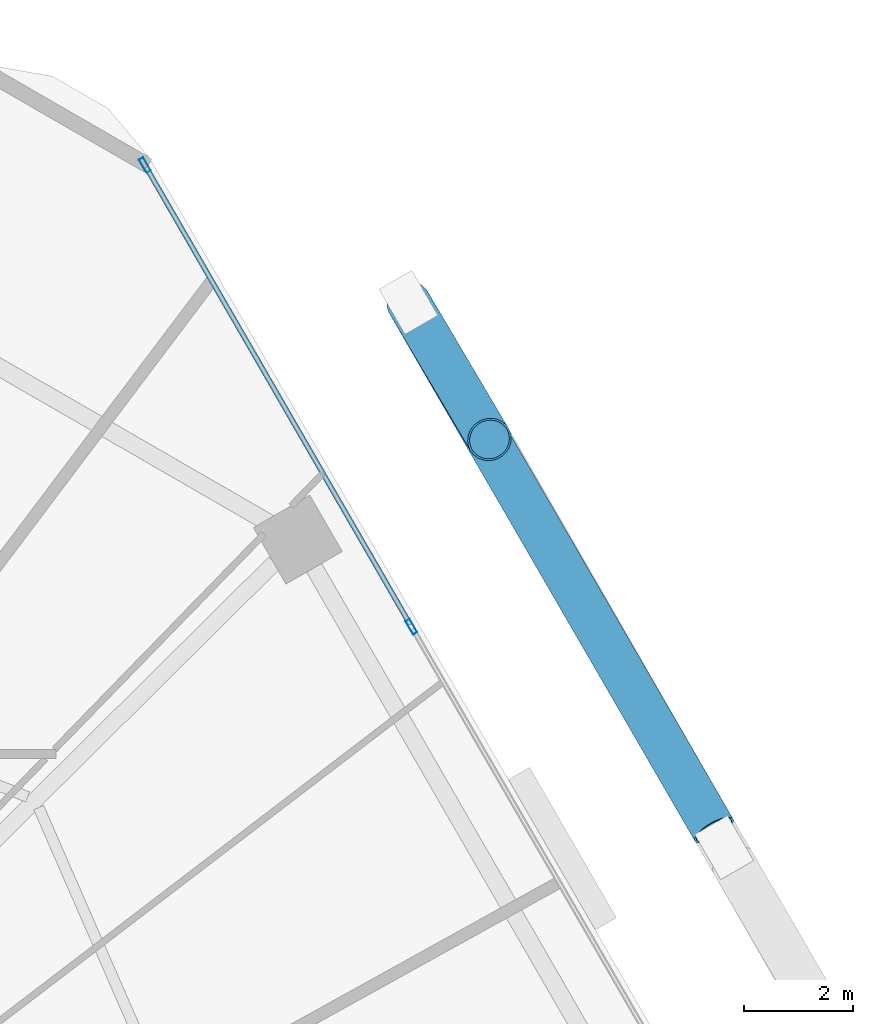
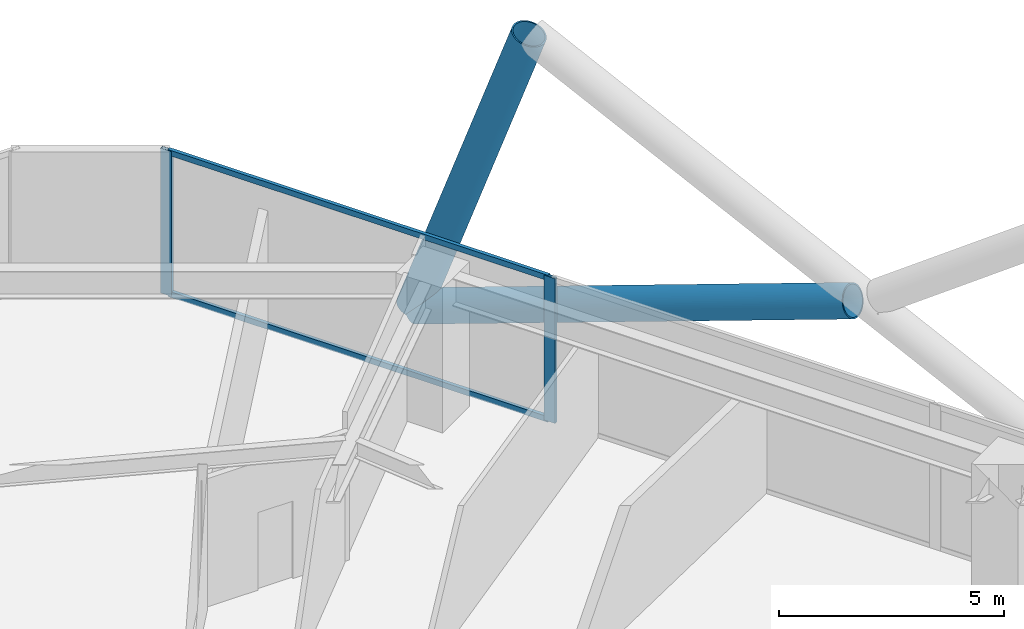
# One storey, part 22 of 30: 6 members, 1 element without a shape of its own.
"""IFC4 building model written with IfcOpenShell, lengths in metres."""

from ifc_helpers import new_model, si_unit, direction, frame, origin, origin_2d, place, context, subcontext, project, spatial, hollow_rectangle, hollow_circle, extrude, material, material_profile, profile_set, type_object, element, aggregate, save


model = new_model("IFC4")

# Units and contexts
model_context = context("Model", 3, precision=1e-05, world=origin(), true_north=direction((0.0, 1.0)))
body_context = subcontext(model_context, "Body", "Model", "MODEL_VIEW")
ifc_project = project(units=[si_unit("LENGTHUNIT", "METRE"), si_unit("AREAUNIT", "SQUARE_METRE"), si_unit("VOLUMEUNIT", "CUBIC_METRE"), si_unit("PLANEANGLEUNIT", "RADIAN"), si_unit("MASSUNIT", "GRAM", prefix="KILO")], contexts=[model_context])

# Site, building, storey
site_placement = place(None, origin())
site = spatial("IfcSite", under=ifc_project, at=site_placement, CompositionType="ELEMENT")
building_placement = place(site_placement, origin())
building = spatial("IfcBuilding", under=site, at=building_placement, Name="Zuhravey Tower", CompositionType="ELEMENT")
storey_placement = place(building_placement, frame((0.0, 0.0, 58.199951171875)))
storey = spatial("IfcBuildingStorey", under=building, at=storey_placement, Name="L14", CompositionType="ELEMENT", Elevation=58.199951171875)

# Curtain wall, members
ifc_material_1 = material(Name="Thermally broken anodised aluminium", Category="aluminium")
curtain_wall_type = type_object("IfcCurtainWallType", Name="School Low-E Unitised Curtain Wall CW1", PredefinedType="NOTDEFINED", material=ifc_material_1)
curtain_wall_placement = place(storey_placement, origin())
curtain_wall = element("IfcCurtainWall", 1, at=curtain_wall_placement, inside=storey, type_object=curtain_wall_type, Name="L14 CW1 CW-L14-F1-1", PredefinedType="NOTDEFINED")
ifc_material_2 = material(Name="Anodised aluminium", Category="aluminium")
ifc_material_profile_1 = material_profile(ifc_material_2, hollow_rectangle(XDim=0.090087890625, YDim=0.284912109375, WallThickness=0.0048828125, at=origin_2d()), Name="ALU-RHS-90x285x5")
ifc_profile_set_1 = profile_set([ifc_material_profile_1], Name="Anodised aluminium")
member_type_1 = type_object("IfcMemberType", Name="Curtain-Wall Mullion 90x180", PredefinedType="MULLION", material=ifc_profile_set_1)
member_1_placement = place(storey_placement, frame((53.701416015625, 59.257080078125, 0.0), z_axis=(0.0, 0.0, 1.0), x_axis=(0.86602552265, 0.499999794119, 0.0)))
member_1 = element("IfcMember", 2, at=member_1_placement, type_object=member_type_1, Name="CW1 mullion 1", PredefinedType="MULLION", context=body_context, shape_type="SweptSolid", body=[
    extrude(hollow_rectangle(XDim=0.090087890625, YDim=0.284912109375, WallThickness=0.0048828125, at=origin_2d()), origin(), (0.0, 0.0, 1.0), 3.920166015625),
])
member_2_placement = place(storey_placement, frame((58.612060546875, 50.75146484375, 0.0), z_axis=(0.0, 0.0, 1.0), x_axis=(0.86602552265, 0.499999794119, 0.0)))
member_2 = element("IfcMember", 3, at=member_2_placement, type_object=member_type_1, Name="CW1 mullion 2", PredefinedType="MULLION", context=body_context, shape_type="SweptSolid", body=[
    extrude(hollow_rectangle(XDim=0.090087890625, YDim=0.284912109375, WallThickness=0.0048828125, at=origin_2d()), origin(), (0.0, 0.0, 1.0), 3.920166015625),
])
ifc_material_profile_2 = material_profile(ifc_material_2, hollow_rectangle(XDim=0.090087890625, YDim=0.14990234375, WallThickness=0.0048828125, at=origin_2d()), Name="ALU-RHS-90x150x5")
ifc_profile_set_2 = profile_set([ifc_material_profile_2], Name="Anodised aluminium")
member_type_2 = type_object("IfcMemberType", Name="Curtain-Wall Transom 90x150", PredefinedType="USERDEFINED", material=ifc_profile_set_2)
member_3_placement = place(storey_placement, frame((53.72412109375, 59.218017578125, 0.045166015625), z_axis=(0.499989576763, -0.86603142156, 0.0), x_axis=(0.86603142156, 0.499989576763, 0.0)))
member_3 = element("IfcMember", 4, at=member_3_placement, type_object=member_type_2, Name="CW1 transom 1.1", ObjectType="TRANSOM", PredefinedType="USERDEFINED", context=body_context, shape_type="SweptSolid", body=[
    extrude(hollow_rectangle(XDim=0.090087890625, YDim=0.14990234375, WallThickness=0.0048828125, at=origin_2d()), origin(), (0.0, 0.0, 1.0), 9.731201171875),
])
member_4_placement = place(storey_placement, frame((53.72412109375, 59.218017578125, 3.875), z_axis=(0.499989576763, -0.86603142156, 0.0), x_axis=(0.86603142156, 0.499989576763, 0.0)))
member_4 = element("IfcMember", 5, at=member_4_placement, type_object=member_type_2, Name="CW1 transom 1.2", ObjectType="TRANSOM", PredefinedType="USERDEFINED", context=body_context, shape_type="SweptSolid", body=[
    extrude(hollow_rectangle(XDim=0.090087890625, YDim=0.14990234375, WallThickness=0.0048828125, at=origin_2d()), origin(), (0.0, 0.0, 1.0), 9.731201171875),
])
aggregate(curtain_wall, [member_1, member_2, member_3, member_4])

# Members
ifc_material_3 = material(Name="Steel SM460", Category="steel")
ifc_material_profile_3 = material_profile(ifc_material_3, hollow_circle(Radius=0.406494140625, WallThickness=0.035888671875, at=origin_2d()), Name="CHS-812.8x36")
ifc_profile_set_3 = profile_set([ifc_material_profile_3], Name="Steel SM460")
member_type_3 = type_object("IfcMemberType", Name="Exoskeleton Zone 1 Diagrid CHS813x36", PredefinedType="BRACE", material=ifc_profile_set_3)
member_5_placement = place(storey_placement, frame((58.560302734375, 56.721435546875, -0.471923828125), z_axis=(0.168255765182, -0.284672651548, 0.943743333192), x_axis=(0.860873401885, 0.508819207507, 0.0)))
element("IfcMember", 6, at=member_5_placement, inside=storey, type_object=member_type_3, Name="L14 Face 1 Diagrid Brace 4", PredefinedType="BRACE", context=body_context, shape_type="SweptSolid", body=[
    extrude(hollow_circle(Radius=0.406494140625, WallThickness=0.035888671875, at=origin_2d()), origin(), (0.0, 0.0, 1.0), 8.85400390625),
])
member_6_placement = place(storey_placement, frame((58.580322265625, 56.68701171875, -0.476806640625), z_axis=(0.471219338918, -0.813758287906, 0.340220198539), x_axis=(0.865381959658, 0.501112825518, 0.0)))
element("IfcMember", 7, at=member_6_placement, inside=storey, type_object=member_type_3, Name="L14 Face 1 Split Diagrid Brace 3A", PredefinedType="BRACE", context=body_context, shape_type="SweptSolid", body=[
    extrude(hollow_circle(Radius=0.406494140625, WallThickness=0.035888671875, at=origin_2d()), origin(), (0.0, 0.0, 1.0), 11.897705078125),
])

save(model, "model.ifc")
